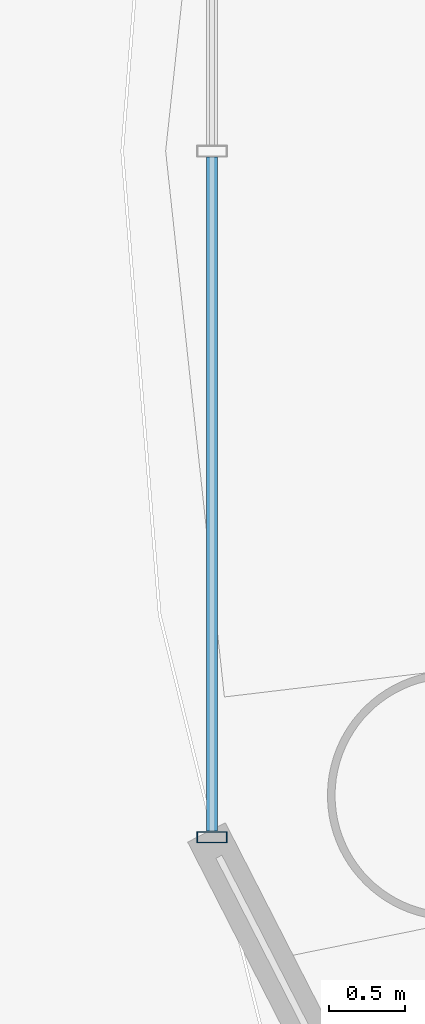
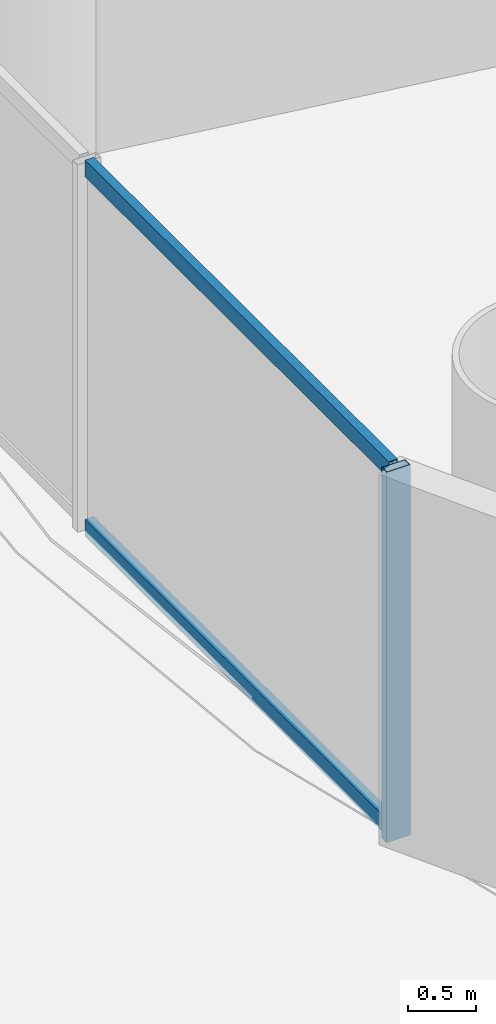
# One storey, part 7 of 37: 3 members, 1 element without a shape of its own.
"""IFC4 building model written with IfcOpenShell, lengths in metres."""

from ifc_helpers import new_model, si_unit, direction, frame, origin, origin_2d, place, context, subcontext, project, spatial, hollow_rectangle, extrude, source, transform, mapped, material, material_profile, profile_set, type_object, element, aggregate, save


model = new_model("IFC4")

# Units and contexts
model_context = context("Model", 3, precision=1e-05, world=origin(), true_north=direction((-0.2419218956, 0.970295726276)))
body_context = subcontext(model_context, "Body", "Model", "MODEL_VIEW")
ifc_project = project(units=[si_unit("LENGTHUNIT", "METRE"), si_unit("AREAUNIT", "SQUARE_METRE"), si_unit("VOLUMEUNIT", "CUBIC_METRE"), si_unit("PLANEANGLEUNIT", "RADIAN"), si_unit("MASSUNIT", "GRAM", prefix="KILO")], contexts=[model_context])

# Site, building, storey
site_placement = place(None, origin())
site = spatial("IfcSite", under=ifc_project, at=site_placement, CompositionType="ELEMENT")
building_placement = place(site_placement, origin())
building = spatial("IfcBuilding", under=site, at=building_placement, Name="Cobrevalo Terracotta Tower", CompositionType="ELEMENT")
storey_placement = place(building_placement, frame((0.0, 0.0, 24.0)))
storey = spatial("IfcBuildingStorey", under=building, at=storey_placement, Name="L05", CompositionType="ELEMENT", Elevation=24.0)

# Curtain wall, members
ifc_material = material(Name="Anodized aluminium", Category="aluminium")
curtain_wall_type = type_object("IfcCurtainWallType", Name="Lower-tower unitised acoustic low-E curtain wall CW-U1", PredefinedType="NOTDEFINED", material=ifc_material)
curtain_wall_placement = place(storey_placement, origin())
curtain_wall = element("IfcCurtainWall", 1, at=curtain_wall_placement, inside=storey, type_object=curtain_wall_type, Name="L05 curtain wall CW-L05-S08", PredefinedType="NOTDEFINED")
ifc_material_profile_1 = material_profile(ifc_material, hollow_rectangle(XDim=0.074951171875, YDim=0.199951171875, WallThickness=0.0048828125, at=origin_2d()), Name="CWM 75x200")
ifc_profile_set_1 = profile_set([ifc_material_profile_1], Name="Anodized aluminium")
member_type_1 = type_object("IfcMemberType", Name="Lower/mid tower unitised mullion 75x200", PredefinedType="MULLION", material=ifc_profile_set_1)
shared_shape_1 = source(origin(), body_context, "Body", "SweptSolid", [
    extrude(hollow_rectangle(XDim=0.074951171875, YDim=0.199951171875, WallThickness=0.0048828125, at=origin_2d()), origin(), (0.0, 0.0, 1.0), 3.320068359375),
])
member_1_placement = place(storey_placement, frame((9.586669921875, 22.26123046875, 0.0), z_axis=(0.0, 0.0, 1.0), x_axis=(0.0, -1.0, 0.0)))
member_1 = element("IfcMember", 2, at=member_1_placement, type_object=member_type_1, Name="CW-L05-S08 vertical mullion 03", PredefinedType="MULLION", context=body_context, shape_type="MappedRepresentation", body=[
    mapped(shared_shape_1, transform((0.0, 0.0, 0.0), scale=1.0)),
])
ifc_material_profile_2 = material_profile(ifc_material, hollow_rectangle(XDim=0.074951171875, YDim=0.14990234375, WallThickness=0.00439453125, at=origin_2d()), Name="CWT 75x150")
ifc_profile_set_2 = profile_set([ifc_material_profile_2], Name="Anodized aluminium")
member_type_2 = type_object("IfcMemberType", Name="Tower unitised aluminium transom 75x150", PredefinedType="USERDEFINED", material=ifc_profile_set_2)
shared_shape_2 = source(origin(), body_context, "Body", "SweptSolid", [
    extrude(hollow_rectangle(XDim=0.074951171875, YDim=0.14990234375, WallThickness=0.00439453125, at=origin_2d()), origin(), (0.0, 0.0, 1.0), 4.458740234375),
])
member_2_placement = place(storey_placement, frame((9.586669921875, 26.760009765625, 0.050048828125), z_axis=(0.0, -1.0, 0.0), x_axis=(1.0, 0.0, 0.0)))
member_2 = element("IfcMember", 3, at=member_2_placement, type_object=member_type_2, Name="CW-L05-S08 transom B02-T1", ObjectType="TRANSOM", PredefinedType="USERDEFINED", context=body_context, shape_type="MappedRepresentation", body=[
    mapped(shared_shape_2, transform((0.0, 0.0, 0.0), scale=1.0)),
])
member_3_placement = place(storey_placement, frame((9.586669921875, 26.760009765625, 3.27001953125), z_axis=(0.0, -1.0, 0.0), x_axis=(1.0, 0.0, 0.0)))
member_3 = element("IfcMember", 4, at=member_3_placement, type_object=member_type_2, Name="CW-L05-S08 transom B02-T2", ObjectType="TRANSOM", PredefinedType="USERDEFINED", context=body_context, shape_type="MappedRepresentation", body=[
    mapped(shared_shape_2, transform((0.0, 0.0, 0.0), scale=1.0)),
])
aggregate(curtain_wall, [member_1, member_2, member_3])

save(model, "model.ifc")
